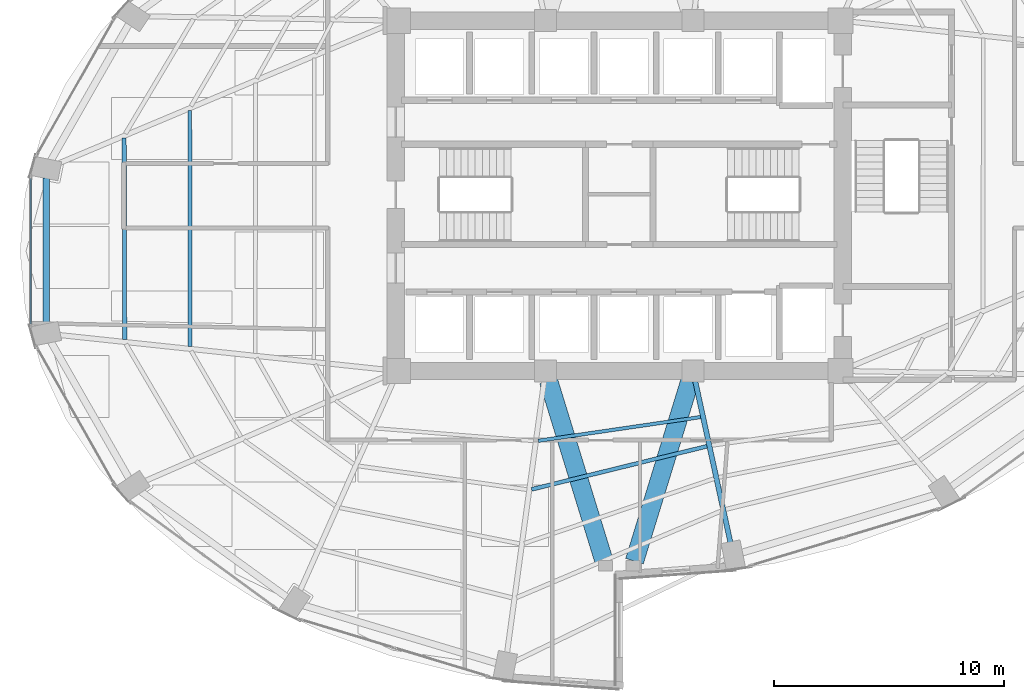
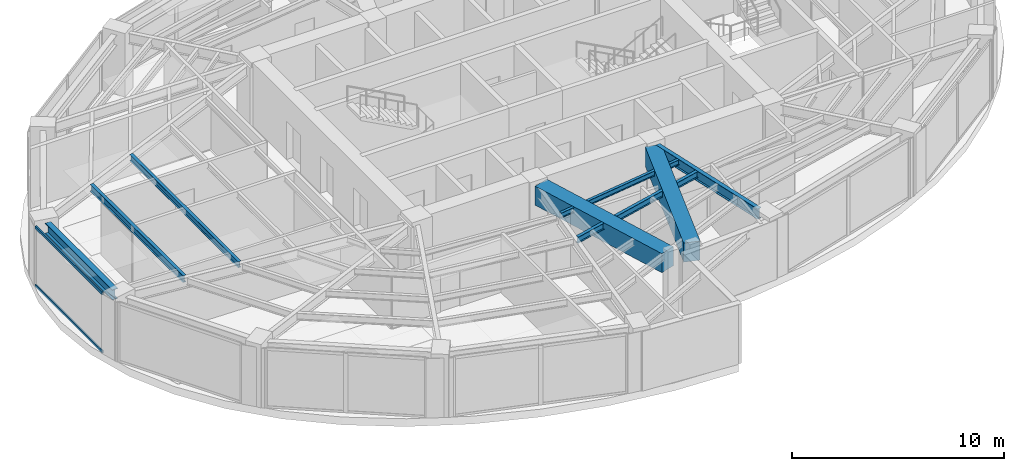
# One storey, part 7 of 23: 8 beams, 2 members, 1 element without a shape of its own.
"""IFC4 building model written with IfcOpenShell, lengths in metres."""

from ifc_helpers import new_model, si_unit, direction, frame, origin, origin_2d, place, context, subcontext, project, spatial, rectangle, hollow_rectangle, i_section, extrude, material, layer, layer_set, material_profile, profile_set, type_object, element, aggregate, save


model = new_model("IFC4")

# Units and contexts
model_context = context("Model", 3, precision=1e-05, world=origin(), true_north=direction((0.0, 1.0)))
body_context = subcontext(model_context, "Body", "Model", "MODEL_VIEW")
ifc_project = project(units=[si_unit("LENGTHUNIT", "METRE"), si_unit("AREAUNIT", "SQUARE_METRE"), si_unit("VOLUMEUNIT", "CUBIC_METRE"), si_unit("PLANEANGLEUNIT", "RADIAN"), si_unit("MASSUNIT", "GRAM", prefix="KILO")], contexts=[model_context])

# Site, building, storey
site_placement = place(None, origin())
site = spatial("IfcSite", under=ifc_project, at=site_placement, CompositionType="ELEMENT")
building_placement = place(site_placement, origin())
building = spatial("IfcBuilding", under=site, at=building_placement, Name="Lazwardi Medical Tower", CompositionType="ELEMENT")
storey_placement = place(building_placement, frame((0.0, 0.0, 81.743896484375)))
storey = spatial("IfcBuildingStorey", under=building, at=storey_placement, Name="L20", CompositionType="ELEMENT", Elevation=81.743896484375)

# Beams
ifc_material_1 = material(Name="Concrete C70/85", Category="concrete")
ifc_material_profile_1 = material_profile(ifc_material_1, rectangle(XDim=0.800048828125, YDim=1.10009765625, at=origin_2d()), Name="RC 800x1100")
ifc_profile_set_1 = profile_set([ifc_material_profile_1], Name="Concrete C70/85")
beam_type_1 = type_object("IfcBeamType", Name="BM-CB-RC1", PredefinedType="LINTEL", material=ifc_profile_set_1)
for number, where, z_axis, x_axis, name in (
    (1, (32.935302734375, 19.960205078125, 2.878173828125), (0.294073251002, -0.955782884888, 0.0), (0.955782884888, 0.294073251002, 0.0), "Core coupling lintel CB-01 PL3 L20"),
    (2, (39.064697265625, 19.960205078125, 2.878173828125), (-0.294073251002, -0.955782884888, 0.0), (0.955782884888, -0.294073251002, 0.0), "Core coupling lintel CB-01 PL4 L20"),
):
    element("IfcBeam", number, at=place(storey_placement, frame(where, z_axis=z_axis, x_axis=x_axis)), inside=storey, type_object=beam_type_1, Name=name, PredefinedType="LINTEL", context=body_context, shape_type="SweptSolid", body=[
        extrude(rectangle(XDim=0.800048828125, YDim=1.10009765625, at=origin_2d()), origin(), (0.0, 0.0, 1.0), 8.1708984375),
    ])
ifc_material_2 = material(Name="Steel S355", Category="steel")
ifc_material_profile_2 = material_profile(ifc_material_2, i_section(OverallWidth=0.300048828125, OverallDepth=0.60009765625, WebThickness=0.015380859375, FlangeThickness=0.030029296875, at=origin_2d()), Name="HEB 600")
ifc_profile_set_2 = profile_set([ifc_material_profile_2], Name="Steel S355")
beam_type_2 = type_object("IfcBeamType", Name="BM-RB-Z2", PredefinedType="BEAM", material=ifc_profile_set_2)
beam_1_placement = place(storey_placement, frame((11.13720703125, 28.77001953125, 3.128173828125), z_axis=(0.0, -1.0, 0.0), x_axis=(1.0, 0.0, 0.0)))
element("IfcBeam", 3, at=beam_1_placement, inside=storey, type_object=beam_type_2, Name="Ring beam RB-03 B12 L20", PredefinedType="BEAM", context=body_context, shape_type="SweptSolid", body=[
    extrude(i_section(OverallWidth=0.300048828125, OverallDepth=0.60009765625, WebThickness=0.015380859375, FlangeThickness=0.030029296875, at=origin_2d()), origin(), (0.0, 0.0, 1.0), 6.33984375),
])
ifc_material_profile_3 = material_profile(ifc_material_2, i_section(OverallWidth=0.219970703125, OverallDepth=0.60009765625, WebThickness=0.011962890625, FlangeThickness=0.01904296875, at=origin_2d()), Name="IPE 600")
ifc_profile_set_3 = profile_set([ifc_material_profile_3], Name="Steel S355")
beam_type_3 = type_object("IfcBeamType", Name="BM-RG-W1", PredefinedType="BEAM", material=ifc_profile_set_3)
beam_2_placement = place(storey_placement, frame((40.82177734375, 12.96923828125, 3.128173828125), z_axis=(-0.213228150441, 0.977002433907, 0.0), x_axis=(-0.977002433907, -0.213228150441, 0.0)))
element("IfcBeam", 4, at=beam_2_placement, inside=storey, type_object=beam_type_3, Name="Radial girder RG-02 R01 L20", PredefinedType="BEAM", context=body_context, shape_type="SweptSolid", body=[
    extrude(i_section(OverallWidth=0.219970703125, OverallDepth=0.60009765625, WebThickness=0.011962890625, FlangeThickness=0.01904296875, at=origin_2d()), origin(), (0.0, 0.0, 1.0), 7.145751953125),
])
ifc_material_profile_4 = material_profile(ifc_material_2, i_section(OverallWidth=0.179931640625, OverallDepth=0.39990234375, WebThickness=0.008544921875, FlangeThickness=0.013427734375, at=origin_2d()), Name="IPE 400")
ifc_profile_set_4 = profile_set([ifc_material_profile_4], Name="Steel S355")
beam_type_4 = type_object("IfcBeamType", Name="BM-SJ-01", PredefinedType="JOIST", material=ifc_profile_set_4)
beam_3_placement = place(storey_placement, frame((14.51904296875, 30.497314453125, 3.22802734375), z_axis=(0.002907126978, -0.999995774297, 0.0), x_axis=(0.999995774297, 0.002907126978, 0.0)))
element("IfcBeam", 5, at=beam_3_placement, inside=storey, type_object=beam_type_4, Name="Secondary joist SJ-01 R1 B12 L20", PredefinedType="JOIST", context=body_context, shape_type="SweptSolid", body=[
    extrude(i_section(OverallWidth=0.179931640625, OverallDepth=0.39990234375, WebThickness=0.008544921875, FlangeThickness=0.013427734375, at=origin_2d()), origin(), (0.0, 0.0, 1.0), 8.73388671875),
])
ifc_material_profile_5 = material_profile(ifc_material_2, i_section(OverallWidth=0.169921875, OverallDepth=0.360107421875, WebThickness=0.008056640625, FlangeThickness=0.0126953125, at=origin_2d()), Name="IPE 360")
ifc_profile_set_5 = profile_set([ifc_material_profile_5], Name="Steel S355")
beam_type_5 = type_object("IfcBeamType", Name="BM-SJ-02", PredefinedType="JOIST", material=ifc_profile_set_5)
beam_4_placement = place(storey_placement, frame((17.365966796875, 31.69482421875, 3.248046875), z_axis=(0.000930565095, -0.999999567024, 0.0), x_axis=(0.999999567024, 0.000930565095, 0.0)))
element("IfcBeam", 6, at=beam_4_placement, inside=storey, type_object=beam_type_5, Name="Secondary joist SJ-02 R2 B12 L20", PredefinedType="JOIST", context=body_context, shape_type="SweptSolid", body=[
    extrude(i_section(OverallWidth=0.169921875, OverallDepth=0.360107421875, WebThickness=0.008056640625, FlangeThickness=0.0126953125, at=origin_2d()), origin(), (0.0, 0.0, 1.0), 10.23193359375),
])
beam_5_placement = place(storey_placement, frame((32.19775390625, 15.262451171875, 3.248046875), z_axis=(0.97107737879, 0.238764998276, 0.0), x_axis=(-0.238764998276, 0.97107737879, 0.0)))
element("IfcBeam", 7, at=beam_5_placement, inside=storey, type_object=beam_type_5, Name="Secondary joist SJ-02 R3 B16 L20", PredefinedType="JOIST", context=body_context, shape_type="SweptSolid", body=[
    extrude(i_section(OverallWidth=0.169921875, OverallDepth=0.360107421875, WebThickness=0.008056640625, FlangeThickness=0.0126953125, at=origin_2d()), origin(), (0.0, 0.0, 1.0), 7.83447265625),
])
ifc_material_profile_6 = material_profile(ifc_material_2, i_section(OverallWidth=0.14990234375, OverallDepth=0.300048828125, WebThickness=0.007080078125, FlangeThickness=0.0107421875, at=origin_2d()), Name="IPE 300")
ifc_profile_set_6 = profile_set([ifc_material_profile_6], Name="Steel S355")
beam_type_6 = type_object("IfcBeamType", Name="BM-SJ-03", PredefinedType="JOIST", material=ifc_profile_set_6)
beam_6_placement = place(storey_placement, frame((32.488525390625, 17.37060546875, 3.278076171875), z_axis=(0.98949221477, 0.144586157392, 0.0), x_axis=(-0.144586157392, 0.98949221477, 0.0)))
element("IfcBeam", 8, at=beam_6_placement, inside=storey, type_object=beam_type_6, Name="Secondary joist SJ-03 R4 B16 L20", PredefinedType="JOIST", context=body_context, shape_type="SweptSolid", body=[
    extrude(i_section(OverallWidth=0.14990234375, OverallDepth=0.300048828125, WebThickness=0.007080078125, FlangeThickness=0.0107421875, at=origin_2d()), origin(), (0.0, 0.0, 1.0), 7.115478515625),
])

# Curtain wall, members
ifc_material_3 = material(Name="Anodised bronze aluminium and solar control glazing", Category="aluminium")
ifc_layer = layer(ifc_material_3, 0.195068359375)
ifc_layer_set = layer_set([ifc_layer], Name="Anodised bronze aluminium and solar control glazing")
curtain_wall_type = type_object("IfcCurtainWallType", Name="CW-SYS-03", PredefinedType="NOTDEFINED", material=ifc_layer_set)
curtain_wall_placement = place(storey_placement, origin())
curtain_wall = element("IfcCurtainWall", 9, at=curtain_wall_placement, inside=storey, type_object=curtain_wall_type, Name="L20 Unitised bronze curtain wall CW-03", PredefinedType="NOTDEFINED")
ifc_material_4 = material(Name="Anodised bronze aluminium", Category="aluminium")
ifc_material_profile_7 = material_profile(ifc_material_4, hollow_rectangle(XDim=0.074951171875, YDim=0.159912109375, WallThickness=0.00390625, at=origin_2d()), Name="ALU-TRANSOM 160x75x4")
ifc_profile_set_7 = profile_set([ifc_material_profile_7], Name="Anodised bronze aluminium")
member_type = type_object("IfcMemberType", Name="CW-TRN-01", PredefinedType="USERDEFINED", material=ifc_profile_set_7)
member_1_placement = place(storey_placement, frame((10.471923828125, 28.760009765625, 0.03759765625), z_axis=(0.0, -1.0, 0.0), x_axis=(1.0, 0.0, 0.0)))
member_1 = element("IfcMember", 10, at=member_1_placement, type_object=member_type, Name="CW-03 transom 1.1", ObjectType="TRANSOM", PredefinedType="USERDEFINED", context=body_context, shape_type="SweptSolid", body=[
    extrude(hollow_rectangle(XDim=0.074951171875, YDim=0.159912109375, WallThickness=0.00390625, at=origin_2d()), origin(), (0.0, 0.0, 1.0), 6.31982421875),
])
member_2_placement = place(storey_placement, frame((10.471923828125, 28.760009765625, 3.390625), z_axis=(0.0, -1.0, 0.0), x_axis=(1.0, 0.0, 0.0)))
member_2 = element("IfcMember", 11, at=member_2_placement, type_object=member_type, Name="CW-03 transom 1.2", ObjectType="TRANSOM", PredefinedType="USERDEFINED", context=body_context, shape_type="SweptSolid", body=[
    extrude(hollow_rectangle(XDim=0.074951171875, YDim=0.159912109375, WallThickness=0.00390625, at=origin_2d()), origin(), (0.0, 0.0, 1.0), 6.31982421875),
])
aggregate(curtain_wall, [member_1, member_2])

save(model, "model.ifc")
